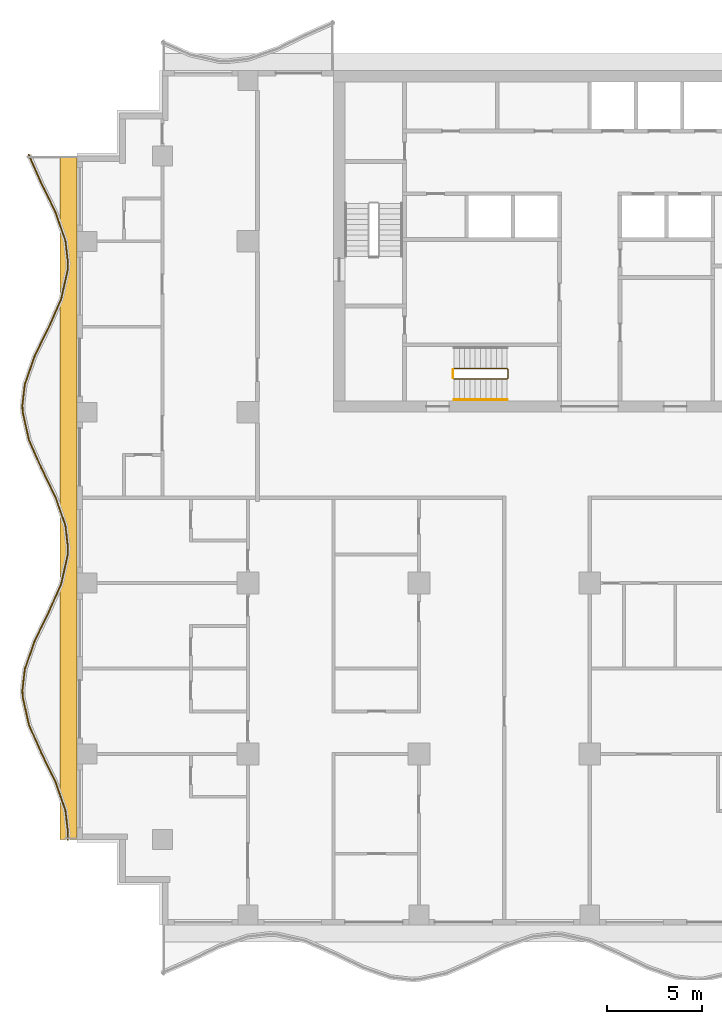
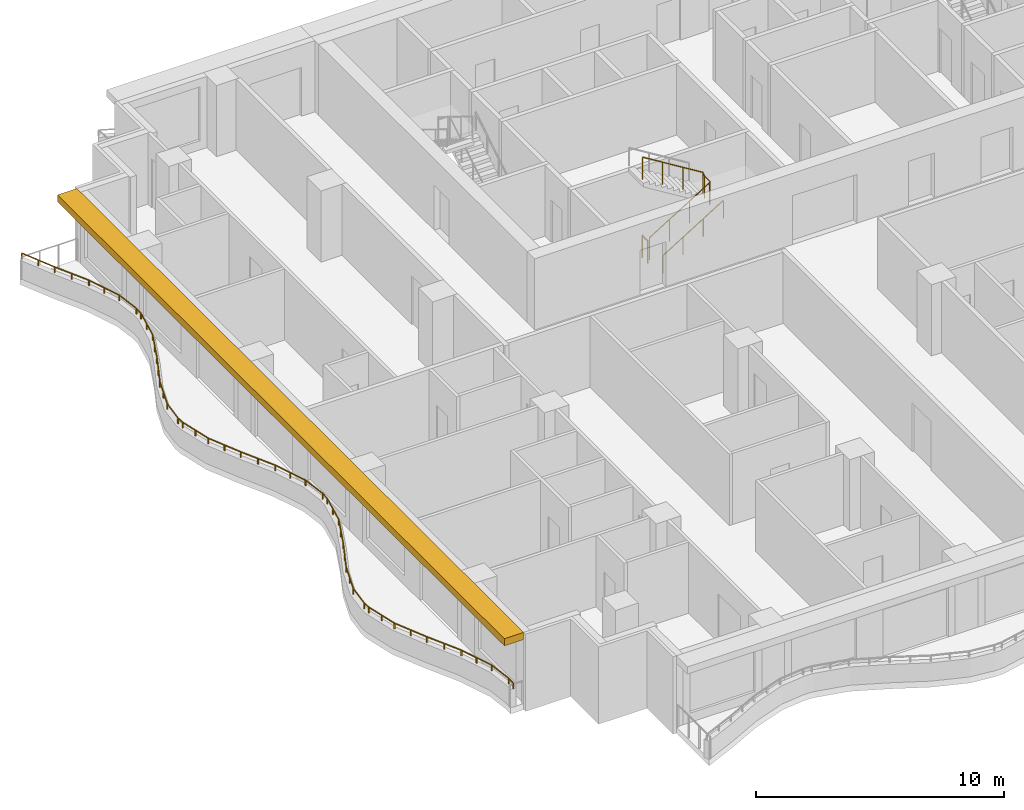
# One storey, part 9 of 11: 4 railings, 1 shading device.
"""IFC4 building model written with IfcOpenShell, lengths in metres."""

from ifc_helpers import new_model, si_unit, direction, frame, origin, origin_2d, place, context, subcontext, project, spatial, polyline, rectangle, circle, outline, extrude, material, layer, layer_set, type_object, element, save


model = new_model("IFC4")

# Units and contexts
model_context = context("Model", 3, precision=1e-05, world=origin(), true_north=direction((0.0, 1.0)))
body_context = subcontext(model_context, "Body", "Model", "MODEL_VIEW")
ifc_project = project(units=[si_unit("LENGTHUNIT", "METRE"), si_unit("AREAUNIT", "SQUARE_METRE"), si_unit("VOLUMEUNIT", "CUBIC_METRE"), si_unit("PLANEANGLEUNIT", "RADIAN"), si_unit("MASSUNIT", "GRAM", prefix="KILO")], contexts=[model_context])

# Site, building, storey
site_placement = place(None, origin())
site = spatial("IfcSite", under=ifc_project, at=site_placement, CompositionType="ELEMENT")
building_placement = place(site_placement, origin())
building = spatial("IfcBuilding", under=site, at=building_placement, Name="Orbiselva Terraces", CompositionType="ELEMENT")
storey_placement = place(building_placement, frame((0.0, 0.0, 192.0)))
storey = spatial("IfcBuildingStorey", under=building, at=storey_placement, Name="L48", CompositionType="ELEMENT", Elevation=192.0)

# Railings
ifc_material_1 = material(Name="Stainless steel", Category="steel")
railing_type_1 = type_object("IfcRailingType", Name="CORE-GUARD-1100", PredefinedType="GUARDRAIL", material=ifc_material_1)
railing_1_placement = place(storey_placement, frame((-7.15, 6.25, 0.172727)))
element("IfcRailing", 1, at=railing_1_placement, inside=storey, type_object=railing_type_1, Name="L48 S3 stair guard 1", PredefinedType="GUARDRAIL", context=body_context, shape_type="SweptSolid", body=[
    extrude(circle(Radius=0.024, at=origin_2d()), frame((0.0, 0.0, 1.081), z_axis=(0.851088519012, 0.0, 0.52502222125), x_axis=(0.0, 1.0, 0.0)), (0.0, 0.0, 1.0), 3.289905),
    extrude(circle(Radius=0.024, at=origin_2d()), frame((2.8, 0.0, 2.808273), z_axis=(0.707106781187, 0.707106781187, 0.0), x_axis=(-0.707106781187, 0.707106781187, 0.0)), (0.0, 0.0, 1.0), 0.070711),
    extrude(circle(Radius=0.024, at=origin_2d()), frame((2.85, 0.05, 2.808273), z_axis=(0.0, 1.0, 0.0), x_axis=(-1.0, 0.0, 0.0)), (0.0, 0.0, 1.0), 0.45),
    extrude(circle(Radius=0.024, at=origin_2d()), frame((2.85, 0.5, 2.808273), z_axis=(-0.267894925557, 0.267894925557, 0.925453736133), x_axis=(-0.707106781187, -0.707106781187, 0.0)), (0.0, 0.0, 1.0), 0.18664),
    extrude(circle(Radius=0.024, at=origin_2d()), frame((2.8, 0.55, 2.981), z_axis=(-0.851088519012, 0.0, 0.52502222125), x_axis=(0.0, -1.0, 0.0)), (0.0, 0.0, 1.0), 3.289905),
    extrude(circle(Radius=0.021, at=origin_2d()), origin(), (0.0, 0.0, 1.0), 1.057),
    extrude(circle(Radius=0.021, at=origin_2d()), frame((0.933333, 0.0, 0.575758)), (0.0, 0.0, 1.0), 1.057),
    extrude(circle(Radius=0.021, at=origin_2d()), frame((1.866667, 0.0, 1.151515)), (0.0, 0.0, 1.0), 1.057),
    extrude(circle(Radius=0.021, at=origin_2d()), frame((2.8, 0.0, 1.727273)), (0.0, 0.0, 1.0), 1.057),
    extrude(circle(Radius=0.021, at=origin_2d()), frame((2.85, 0.05, 1.727273)), (0.0, 0.0, 1.0), 1.057),
    extrude(circle(Radius=0.021, at=origin_2d()), frame((2.85, 0.5, 1.727273)), (0.0, 0.0, 1.0), 1.057),
    extrude(circle(Radius=0.021, at=origin_2d()), frame((2.8, 0.55, 1.9)), (0.0, 0.0, 1.0), 1.057),
    extrude(circle(Radius=0.021, at=origin_2d()), frame((1.866667, 0.55, 2.475758)), (0.0, 0.0, 1.0), 1.057),
    extrude(circle(Radius=0.021, at=origin_2d()), frame((0.933333, 0.55, 3.051515)), (0.0, 0.0, 1.0), 1.057),
    extrude(circle(Radius=0.021, at=origin_2d()), frame((0.0, 0.55, 3.627273)), (0.0, 0.0, 1.0), 1.057),
])
railing_2_placement = place(storey_placement, frame((-7.2, 6.3, 0.0)))
element("IfcRailing", 2, at=railing_2_placement, inside=storey, type_object=railing_type_1, Name="L48 S3 stair guard 2", PredefinedType="GUARDRAIL", context=body_context, shape_type="SweptSolid", body=[
    extrude(circle(Radius=0.024, at=origin_2d()), frame((0.0, 0.0, 1.081), z_axis=(0.0, 1.0, 0.0), x_axis=(-1.0, 0.0, 0.0)), (0.0, 0.0, 1.0), 0.45),
    extrude(circle(Radius=0.021, at=origin_2d()), origin(), (0.0, 0.0, 1.0), 1.057),
    extrude(circle(Radius=0.021, at=origin_2d()), frame((0.0, 0.45, 0.0)), (0.0, 0.0, 1.0), 1.057),
])
railing_type_2 = type_object("IfcRailingType", Name="CORE-HANDRAIL-900", PredefinedType="HANDRAIL", material=ifc_material_1)
railing_3_placement = place(storey_placement, frame((-7.15, 5.15, 0.172727)))
element("IfcRailing", 3, at=railing_3_placement, inside=storey, type_object=railing_type_2, Name="L48 S3 stair handrail 1", PredefinedType="HANDRAIL", context=body_context, shape_type="SweptSolid", body=[
    extrude(circle(Radius=0.024, at=origin_2d()), frame((0.0, 0.0, 0.876), z_axis=(0.851088519012, 0.0, 0.52502222125), x_axis=(0.0, 1.0, 0.0)), (0.0, 0.0, 1.0), 3.289905),
    extrude(circle(Radius=0.021, at=origin_2d()), origin(), (0.0, 0.0, 1.0), 0.852),
    extrude(circle(Radius=0.021, at=origin_2d()), frame((0.933333, 0.0, 0.575758)), (0.0, 0.0, 1.0), 0.852),
    extrude(circle(Radius=0.021, at=origin_2d()), frame((1.866667, 0.0, 1.151515)), (0.0, 0.0, 1.0), 0.852),
    extrude(circle(Radius=0.021, at=origin_2d()), frame((2.8, 0.0, 1.727273)), (0.0, 0.0, 1.0), 0.852),
])
ifc_material_2 = material(Name="Bonded two-ply safety glass balustrade, stainless steel posts", Category="steel")
railing_type_3 = type_object("IfcRailingType", Name="ENV-BALUSTRADE-1200", PredefinedType="BALUSTRADE", material=ifc_material_2)
railing_4_placement = place(storey_placement, frame((-29.534136, 18.050394, 0.9)))
element("IfcRailing", 4, at=railing_4_placement, inside=storey, type_object=railing_type_3, Name="Balcony balustrade L48 W", PredefinedType="BALUSTRADE", context=body_context, shape_type="SweptSolid", body=[
    extrude(outline(polyline([(0.028868, 0.0), (0.014434, 0.025), (-0.014434, 0.025), (-0.028868, 0.0), (-0.014434, -0.025), (0.014434, -0.025), (0.028868, 0.0)])), frame((0.0, 0.0, 0.275), z_axis=(0.403150940408, -0.915133498047, 0.0), x_axis=(0.915133498047, 0.403150940408, 0.0)), (0.0, 0.0, 1.0), 1.636648),
    extrude(outline(polyline([(0.028868, 0.0), (0.014434, 0.025), (-0.014434, 0.025), (-0.028868, 0.0), (-0.014434, -0.025), (0.014434, -0.025), (0.028868, 0.0)])), frame((0.659816, -1.497751, 0.275), z_axis=(0.438812048596, -0.898578870221, 0.0), x_axis=(0.898578870221, 0.438812048596, 0.0)), (0.0, 0.0, 1.0), 1.674225),
    extrude(outline(polyline([(0.028868, 0.0), (0.014434, 0.025), (-0.014434, 0.025), (-0.028868, 0.0), (-0.014434, -0.025), (0.014434, -0.025), (0.028868, 0.0)])), frame((1.394486, -3.002174, 0.275), z_axis=(0.330024597479, -0.943972332783, 0.0), x_axis=(0.943972332783, 0.330024597479, 0.0)), (0.0, 0.0, 1.0), 1.610253),
    extrude(outline(polyline([(0.028868, 0.0), (0.014434, 0.025), (-0.014434, 0.025), (-0.028868, 0.0), (-0.014434, -0.025), (0.014434, -0.025), (0.028868, 0.0)])), frame((1.925909, -4.522208, 0.275), z_axis=(0.115482182324, -0.993309551734, 0.0), x_axis=(0.993309551734, 0.115482182324, 0.0)), (0.0, 0.0, 1.0), 1.156135),
    extrude(outline(polyline([(0.028868, 0.0), (0.014434, 0.025), (-0.014434, 0.025), (-0.028868, 0.0), (-0.014434, -0.025), (0.014434, -0.025), (0.028868, 0.0)])), frame((2.059422, -5.670608, 0.275), z_axis=(-0.03936915532, -0.999224734286, 0.0), x_axis=(0.999224734286, -0.03936915532, 0.0)), (0.0, 0.0, 1.0), 0.396376),
    extrude(outline(polyline([(0.028868, 0.0), (0.014434, 0.025), (-0.014434, 0.025), (-0.028868, 0.0), (-0.014434, -0.025), (0.014434, -0.025), (0.028868, 0.0)])), frame((2.043817, -6.066677, 0.275), z_axis=(-0.219015500924, -0.97572137947, 0.0), x_axis=(0.97572137947, -0.219015500924, 0.0)), (0.0, 0.0, 1.0), 1.560867),
    extrude(outline(polyline([(0.028868, 0.0), (0.014434, 0.025), (-0.014434, 0.025), (-0.028868, 0.0), (-0.014434, -0.025), (0.014434, -0.025), (0.028868, 0.0)])), frame((1.701963, -7.589648, 0.275), z_axis=(-0.403150874148, -0.915133527237, 0.0), x_axis=(0.915133527237, -0.403150874148, 0.0)), (0.0, 0.0, 1.0), 1.653736),
    extrude(outline(polyline([(0.028868, 0.0), (0.014434, 0.025), (-0.014434, 0.025), (-0.028868, 0.0), (-0.014434, -0.025), (0.014434, -0.025), (0.028868, 0.0)])), frame((1.035258, -9.103037, 0.275), z_axis=(-0.438811978768, -0.89857890432, 0.0), x_axis=(0.89857890432, -0.438811978768, 0.0)), (0.0, 0.0, 1.0), 1.66438),
    extrude(outline(polyline([(0.028868, 0.0), (0.014434, 0.025), (-0.014434, 0.025), (-0.028868, 0.0), (-0.014434, -0.025), (0.014434, -0.025), (0.028868, 0.0)])), frame((0.304908, -10.598614, 0.275), z_axis=(-0.330024754707, -0.943972277814, 0.0), x_axis=(0.943972277814, -0.330024754707, 0.0)), (0.0, 0.0, 1.0), 1.567807),
    extrude(outline(polyline([(0.028868, 0.0), (0.014434, 0.025), (-0.014434, 0.025), (-0.028868, 0.0), (-0.014434, -0.025), (0.014434, -0.025), (0.028868, 0.0)])), frame((-0.212507, -12.07858, 0.275), z_axis=(-0.115481264762, -0.993309658409, 0.0), x_axis=(0.993309658409, -0.115481264762, 0.0)), (0.0, 0.0, 1.0), 1.10902),
    extrude(outline(polyline([(0.028868, 0.0), (0.014434, 0.025), (-0.014434, 0.025), (-0.028868, 0.0), (-0.014434, -0.025), (0.014434, -0.025), (0.028868, 0.0)])), frame((-0.340578, -13.18018, 0.275), z_axis=(0.039364150694, -0.999224931454, 0.0), x_axis=(0.999224931454, 0.039364150694, 0.0)), (0.0, 0.0, 1.0), 0.354206),
    extrude(outline(polyline([(0.028868, 0.0), (0.014434, 0.025), (-0.014434, 0.025), (-0.028868, 0.0), (-0.014434, -0.025), (0.014434, -0.025), (0.028868, 0.0)])), frame((-0.326635, -13.534111, 0.275), z_axis=(0.219015740235, -0.975721325753, 0.0), x_axis=(0.975721325753, 0.219015740235, 0.0)), (0.0, 0.0, 1.0), 1.513782),
    extrude(outline(polyline([(0.028868, 0.0), (0.014434, 0.025), (-0.014434, 0.025), (-0.028868, 0.0), (-0.014434, -0.025), (0.014434, -0.025), (0.028868, 0.0)])), frame((0.004907, -15.01114, 0.275), z_axis=(0.403151245402, -0.915133363686, 0.0), x_axis=(0.915133363686, 0.403151245402, 0.0)), (0.0, 0.0, 1.0), 1.624475),
    extrude(outline(polyline([(0.028868, 0.0), (0.014434, 0.025), (-0.014434, 0.025), (-0.028868, 0.0), (-0.014434, -0.025), (0.014434, -0.025), (0.028868, 0.0)])), frame((0.659816, -16.497751, 0.275), z_axis=(0.438812048596, -0.898578870221, 0.0), x_axis=(0.898578870221, 0.438812048596, 0.0)), (0.0, 0.0, 1.0), 1.674225),
    extrude(outline(polyline([(0.028868, 0.0), (0.014434, 0.025), (-0.014434, 0.025), (-0.028868, 0.0), (-0.014434, -0.025), (0.014434, -0.025), (0.028868, 0.0)])), frame((1.394486, -18.002174, 0.275), z_axis=(0.330024597479, -0.943972332783, 0.0), x_axis=(0.943972332783, 0.330024597479, 0.0)), (0.0, 0.0, 1.0), 1.610253),
    extrude(outline(polyline([(0.028868, 0.0), (0.014434, 0.025), (-0.014434, 0.025), (-0.028868, 0.0), (-0.014434, -0.025), (0.014434, -0.025), (0.028868, 0.0)])), frame((1.925909, -19.522208, 0.275), z_axis=(0.115482182324, -0.993309551734, 0.0), x_axis=(0.993309551734, 0.115482182324, 0.0)), (0.0, 0.0, 1.0), 1.156135),
    extrude(outline(polyline([(0.028868, 0.0), (0.014434, 0.025), (-0.014434, 0.025), (-0.028868, 0.0), (-0.014434, -0.025), (0.014434, -0.025), (0.028868, 0.0)])), frame((2.059422, -20.670608, 0.275), z_axis=(-0.03936915532, -0.999224734286, 0.0), x_axis=(0.999224734286, -0.03936915532, 0.0)), (0.0, 0.0, 1.0), 0.396376),
    extrude(outline(polyline([(0.028868, 0.0), (0.014434, 0.025), (-0.014434, 0.025), (-0.028868, 0.0), (-0.014434, -0.025), (0.014434, -0.025), (0.028868, 0.0)])), frame((2.043817, -21.066677, 0.275), z_axis=(-0.219015500924, -0.97572137947, 0.0), x_axis=(0.97572137947, -0.219015500924, 0.0)), (0.0, 0.0, 1.0), 1.560867),
    extrude(outline(polyline([(0.028868, 0.0), (0.014434, 0.025), (-0.014434, 0.025), (-0.028868, 0.0), (-0.014434, -0.025), (0.014434, -0.025), (0.028868, 0.0)])), frame((1.701963, -22.589648, 0.275), z_axis=(-0.403150874148, -0.915133527237, 0.0), x_axis=(0.915133527237, -0.403150874148, 0.0)), (0.0, 0.0, 1.0), 1.653736),
    extrude(outline(polyline([(0.028868, 0.0), (0.014434, 0.025), (-0.014434, 0.025), (-0.028868, 0.0), (-0.014434, -0.025), (0.014434, -0.025), (0.028868, 0.0)])), frame((1.035258, -24.103037, 0.275), z_axis=(-0.438811978768, -0.89857890432, 0.0), x_axis=(0.89857890432, -0.438811978768, 0.0)), (0.0, 0.0, 1.0), 1.66438),
    extrude(outline(polyline([(0.028868, 0.0), (0.014434, 0.025), (-0.014434, 0.025), (-0.028868, 0.0), (-0.014434, -0.025), (0.014434, -0.025), (0.028868, 0.0)])), frame((0.304908, -25.598614, 0.275), z_axis=(-0.330024754707, -0.943972277814, 0.0), x_axis=(0.943972277814, -0.330024754707, 0.0)), (0.0, 0.0, 1.0), 1.567807),
    extrude(outline(polyline([(0.028868, 0.0), (0.014434, 0.025), (-0.014434, 0.025), (-0.028868, 0.0), (-0.014434, -0.025), (0.014434, -0.025), (0.028868, 0.0)])), frame((-0.212507, -27.07858, 0.275), z_axis=(-0.115481264762, -0.993309658409, 0.0), x_axis=(0.993309658409, -0.115481264762, 0.0)), (0.0, 0.0, 1.0), 1.10902),
    extrude(outline(polyline([(0.028868, 0.0), (0.014434, 0.025), (-0.014434, 0.025), (-0.028868, 0.0), (-0.014434, -0.025), (0.014434, -0.025), (0.028868, 0.0)])), frame((-0.340578, -28.18018, 0.275), z_axis=(0.039364150694, -0.999224931454, 0.0), x_axis=(0.999224931454, 0.039364150694, 0.0)), (0.0, 0.0, 1.0), 0.354206),
    extrude(outline(polyline([(0.028868, 0.0), (0.014434, 0.025), (-0.014434, 0.025), (-0.028868, 0.0), (-0.014434, -0.025), (0.014434, -0.025), (0.028868, 0.0)])), frame((-0.326635, -28.534111, 0.275), z_axis=(0.219015740235, -0.975721325753, 0.0), x_axis=(0.975721325753, 0.219015740235, 0.0)), (0.0, 0.0, 1.0), 1.513782),
    extrude(outline(polyline([(0.028868, 0.0), (0.014434, 0.025), (-0.014434, 0.025), (-0.028868, 0.0), (-0.014434, -0.025), (0.014434, -0.025), (0.028868, 0.0)])), frame((0.004907, -30.01114, 0.275), z_axis=(0.403151245402, -0.915133363686, 0.0), x_axis=(0.915133363686, 0.403151245402, 0.0)), (0.0, 0.0, 1.0), 1.624475),
    extrude(outline(polyline([(0.028868, 0.0), (0.014434, 0.025), (-0.014434, 0.025), (-0.028868, 0.0), (-0.014434, -0.025), (0.014434, -0.025), (0.028868, 0.0)])), frame((0.659816, -31.497751, 0.275), z_axis=(0.438812048596, -0.898578870221, 0.0), x_axis=(0.898578870221, 0.438812048596, 0.0)), (0.0, 0.0, 1.0), 1.674225),
    extrude(outline(polyline([(0.028868, 0.0), (0.014434, 0.025), (-0.014434, 0.025), (-0.028868, 0.0), (-0.014434, -0.025), (0.014434, -0.025), (0.028868, 0.0)])), frame((1.394486, -33.002174, 0.275), z_axis=(0.330024597479, -0.943972332783, 0.0), x_axis=(0.943972332783, 0.330024597479, 0.0)), (0.0, 0.0, 1.0), 1.610253),
    extrude(outline(polyline([(0.028868, 0.0), (0.014434, 0.025), (-0.014434, 0.025), (-0.028868, 0.0), (-0.014434, -0.025), (0.014434, -0.025), (0.028868, 0.0)])), frame((1.925909, -34.522208, 0.275), z_axis=(0.115482182324, -0.993309551734, 0.0), x_axis=(0.993309551734, 0.115482182324, 0.0)), (0.0, 0.0, 1.0), 1.156135),
    extrude(outline(polyline([(0.028868, 0.0), (0.014434, 0.025), (-0.014434, 0.025), (-0.028868, 0.0), (-0.014434, -0.025), (0.014434, -0.025), (0.028868, 0.0)])), frame((2.059422, -35.670608, 0.275), z_axis=(-0.039368272023, -0.999224769087, 0.0), x_axis=(0.999224769087, -0.039368272023, 0.0)), (0.0, 0.0, 1.0), 0.385005),
    extrude(rectangle(XDim=0.05, YDim=0.05, at=origin_2d()), origin(), (0.0, 0.0, 1.0), 0.25),
    extrude(rectangle(XDim=0.05, YDim=0.05, at=origin_2d()), frame((0.329908, -0.748876, 0.0)), (0.0, 0.0, 1.0), 0.25),
    extrude(rectangle(XDim=0.05, YDim=0.05, at=origin_2d()), frame((0.659816, -1.497751, 0.0)), (0.0, 0.0, 1.0), 0.25),
    extrude(rectangle(XDim=0.05, YDim=0.05, at=origin_2d()), frame((1.027151, -2.249963, 0.0)), (0.0, 0.0, 1.0), 0.25),
    extrude(rectangle(XDim=0.05, YDim=0.05, at=origin_2d()), frame((1.394486, -3.002174, 0.0)), (0.0, 0.0, 1.0), 0.25),
    extrude(rectangle(XDim=0.05, YDim=0.05, at=origin_2d()), frame((1.660198, -3.762191, 0.0)), (0.0, 0.0, 1.0), 0.25),
    extrude(rectangle(XDim=0.05, YDim=0.05, at=origin_2d()), frame((1.925909, -4.522208, 0.0)), (0.0, 0.0, 1.0), 0.25),
    extrude(rectangle(XDim=0.05, YDim=0.05, at=origin_2d()), frame((2.059422, -5.670608, 0.0)), (0.0, 0.0, 1.0), 0.25),
    extrude(rectangle(XDim=0.05, YDim=0.05, at=origin_2d()), frame((2.043817, -6.066677, 0.0)), (0.0, 0.0, 1.0), 0.25),
    extrude(rectangle(XDim=0.05, YDim=0.05, at=origin_2d()), frame((1.87289, -6.828162, 0.0)), (0.0, 0.0, 1.0), 0.25),
    extrude(rectangle(XDim=0.05, YDim=0.05, at=origin_2d()), frame((1.701963, -7.589648, 0.0)), (0.0, 0.0, 1.0), 0.25),
    extrude(rectangle(XDim=0.05, YDim=0.05, at=origin_2d()), frame((1.36861, -8.346342, 0.0)), (0.0, 0.0, 1.0), 0.25),
    extrude(rectangle(XDim=0.05, YDim=0.05, at=origin_2d()), frame((1.035258, -9.103037, 0.0)), (0.0, 0.0, 1.0), 0.25),
    extrude(rectangle(XDim=0.05, YDim=0.05, at=origin_2d()), frame((0.670083, -9.850826, 0.0)), (0.0, 0.0, 1.0), 0.25),
    extrude(rectangle(XDim=0.05, YDim=0.05, at=origin_2d()), frame((0.304908, -10.598614, 0.0)), (0.0, 0.0, 1.0), 0.25),
    extrude(rectangle(XDim=0.05, YDim=0.05, at=origin_2d()), frame((0.046201, -11.338597, 0.0)), (0.0, 0.0, 1.0), 0.25),
    extrude(rectangle(XDim=0.05, YDim=0.05, at=origin_2d()), frame((-0.212507, -12.07858, 0.0)), (0.0, 0.0, 1.0), 0.25),
    extrude(rectangle(XDim=0.05, YDim=0.05, at=origin_2d()), frame((-0.340578, -13.18018, 0.0)), (0.0, 0.0, 1.0), 0.25),
    extrude(rectangle(XDim=0.05, YDim=0.05, at=origin_2d()), frame((-0.326635, -13.534111, 0.0)), (0.0, 0.0, 1.0), 0.25),
    extrude(rectangle(XDim=0.05, YDim=0.05, at=origin_2d()), frame((-0.160864, -14.272626, 0.0)), (0.0, 0.0, 1.0), 0.25),
    extrude(rectangle(XDim=0.05, YDim=0.05, at=origin_2d()), frame((0.004907, -15.01114, 0.0)), (0.0, 0.0, 1.0), 0.25),
    extrude(rectangle(XDim=0.05, YDim=0.05, at=origin_2d()), frame((0.332361, -15.754446, 0.0)), (0.0, 0.0, 1.0), 0.25),
    extrude(rectangle(XDim=0.05, YDim=0.05, at=origin_2d()), frame((0.659816, -16.497751, 0.0)), (0.0, 0.0, 1.0), 0.25),
    extrude(rectangle(XDim=0.05, YDim=0.05, at=origin_2d()), frame((1.027151, -17.249963, 0.0)), (0.0, 0.0, 1.0), 0.25),
    extrude(rectangle(XDim=0.05, YDim=0.05, at=origin_2d()), frame((1.394486, -18.002174, 0.0)), (0.0, 0.0, 1.0), 0.25),
    extrude(rectangle(XDim=0.05, YDim=0.05, at=origin_2d()), frame((1.660198, -18.762191, 0.0)), (0.0, 0.0, 1.0), 0.25),
    extrude(rectangle(XDim=0.05, YDim=0.05, at=origin_2d()), frame((1.925909, -19.522208, 0.0)), (0.0, 0.0, 1.0), 0.25),
    extrude(rectangle(XDim=0.05, YDim=0.05, at=origin_2d()), frame((2.059422, -20.670608, 0.0)), (0.0, 0.0, 1.0), 0.25),
    extrude(rectangle(XDim=0.05, YDim=0.05, at=origin_2d()), frame((2.043817, -21.066677, 0.0)), (0.0, 0.0, 1.0), 0.25),
    extrude(rectangle(XDim=0.05, YDim=0.05, at=origin_2d()), frame((1.87289, -21.828162, 0.0)), (0.0, 0.0, 1.0), 0.25),
    extrude(rectangle(XDim=0.05, YDim=0.05, at=origin_2d()), frame((1.701963, -22.589648, 0.0)), (0.0, 0.0, 1.0), 0.25),
    extrude(rectangle(XDim=0.05, YDim=0.05, at=origin_2d()), frame((1.36861, -23.346342, 0.0)), (0.0, 0.0, 1.0), 0.25),
    extrude(rectangle(XDim=0.05, YDim=0.05, at=origin_2d()), frame((1.035258, -24.103037, 0.0)), (0.0, 0.0, 1.0), 0.25),
    extrude(rectangle(XDim=0.05, YDim=0.05, at=origin_2d()), frame((0.670083, -24.850826, 0.0)), (0.0, 0.0, 1.0), 0.25),
    extrude(rectangle(XDim=0.05, YDim=0.05, at=origin_2d()), frame((0.304908, -25.598614, 0.0)), (0.0, 0.0, 1.0), 0.25),
    extrude(rectangle(XDim=0.05, YDim=0.05, at=origin_2d()), frame((0.046201, -26.338597, 0.0)), (0.0, 0.0, 1.0), 0.25),
    extrude(rectangle(XDim=0.05, YDim=0.05, at=origin_2d()), frame((-0.212507, -27.07858, 0.0)), (0.0, 0.0, 1.0), 0.25),
    extrude(rectangle(XDim=0.05, YDim=0.05, at=origin_2d()), frame((-0.340578, -28.18018, 0.0)), (0.0, 0.0, 1.0), 0.25),
    extrude(rectangle(XDim=0.05, YDim=0.05, at=origin_2d()), frame((-0.326635, -28.534111, 0.0)), (0.0, 0.0, 1.0), 0.25),
    extrude(rectangle(XDim=0.05, YDim=0.05, at=origin_2d()), frame((-0.160864, -29.272626, 0.0)), (0.0, 0.0, 1.0), 0.25),
    extrude(rectangle(XDim=0.05, YDim=0.05, at=origin_2d()), frame((0.004907, -30.01114, 0.0)), (0.0, 0.0, 1.0), 0.25),
    extrude(rectangle(XDim=0.05, YDim=0.05, at=origin_2d()), frame((0.332361, -30.754446, 0.0)), (0.0, 0.0, 1.0), 0.25),
    extrude(rectangle(XDim=0.05, YDim=0.05, at=origin_2d()), frame((0.659816, -31.497751, 0.0)), (0.0, 0.0, 1.0), 0.25),
    extrude(rectangle(XDim=0.05, YDim=0.05, at=origin_2d()), frame((1.027151, -32.249962, 0.0)), (0.0, 0.0, 1.0), 0.25),
    extrude(rectangle(XDim=0.05, YDim=0.05, at=origin_2d()), frame((1.394486, -33.002174, 0.0)), (0.0, 0.0, 1.0), 0.25),
    extrude(rectangle(XDim=0.05, YDim=0.05, at=origin_2d()), frame((1.660198, -33.762191, 0.0)), (0.0, 0.0, 1.0), 0.25),
    extrude(rectangle(XDim=0.05, YDim=0.05, at=origin_2d()), frame((1.925909, -34.522208, 0.0)), (0.0, 0.0, 1.0), 0.25),
    extrude(rectangle(XDim=0.05, YDim=0.05, at=origin_2d()), frame((2.059422, -35.670608, 0.0)), (0.0, 0.0, 1.0), 0.25),
    extrude(rectangle(XDim=0.05, YDim=0.05, at=origin_2d()), frame((2.044265, -36.055315, 0.0)), (0.0, 0.0, 1.0), 0.25),
])

# Shading device
ifc_material_3 = material(Name="Terracotta baguette sunshade", Category="masonry")
ifc_layer = layer(ifc_material_3, 0.35)
ifc_layer_set = layer_set([ifc_layer], Name="Terracotta baguette sunshade")
shading_device_type = type_object("IfcShadingDeviceType", Name="ENV-SUNSHADE-900x350", PredefinedType="USERDEFINED", material=ifc_layer_set)
shading_device_placement = place(storey_placement, frame((0.0, 0.0, 3.15)))
element("IfcShadingDevice", 5, at=shading_device_placement, inside=storey, type_object=shading_device_type, Name="Sunshade band L48 W", ObjectType="SUNSHADE", PredefinedType="USERDEFINED", context=body_context, shape_type="SweptSolid", body=[
    extrude(outline(polyline([(-27.9, 18.0), (-27.9, -18.0), (-27.0, -18.0), (-27.0, 18.0), (-27.9, 18.0)])), origin(), (0.0, 0.0, 1.0), 0.35),
])

save(model, "model.ifc")
